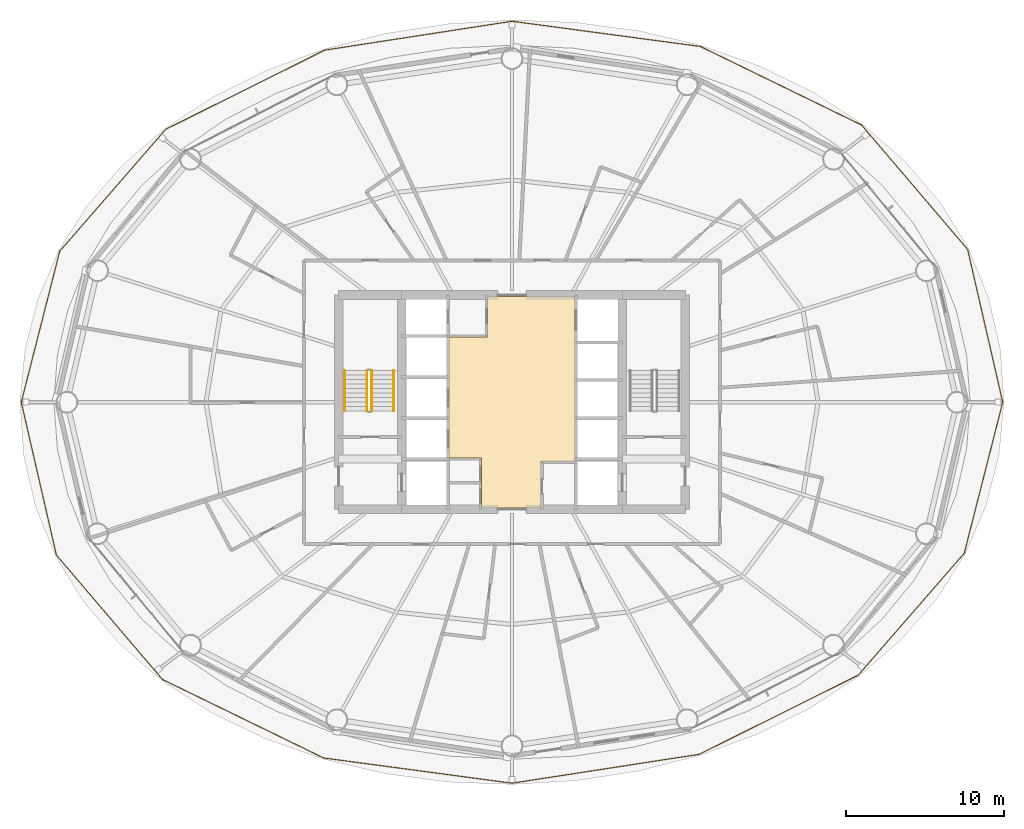
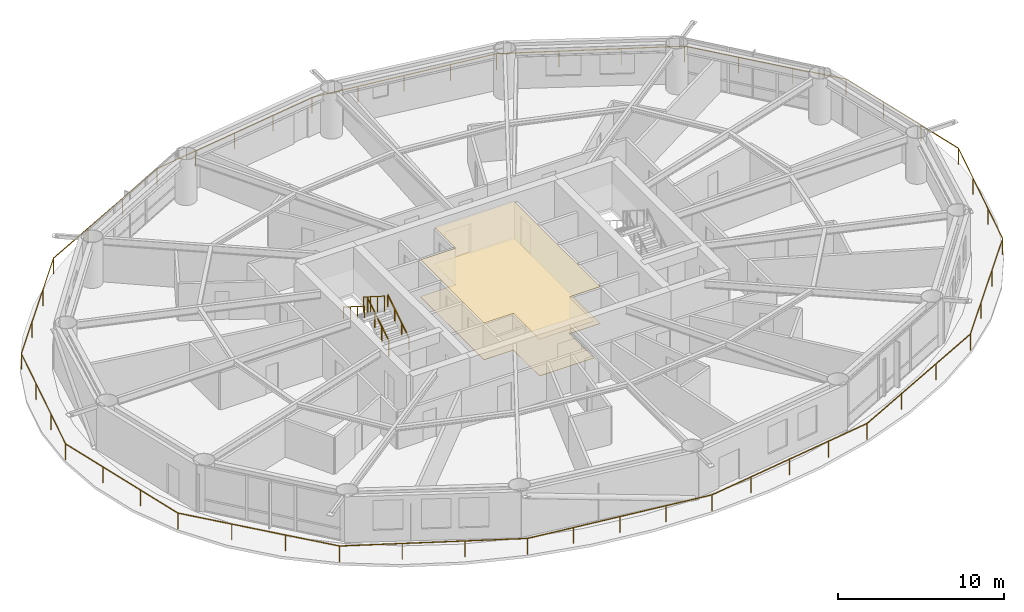
# One storey, part 23 of 24: 5 railings, 2 coverings.
"""IFC4 building model written with IfcOpenShell, lengths in metres."""

import ifcopenshell
import ifcopenshell.guid

model = None  # the IFC model being written
_history = None  # IfcOwnerHistory: only IFC2X3 demands one
_inside = {}  # id of a spatial element -> (the spatial element, [elements in it])
_under = {}  # id of a project, library or spatial element -> (it, [spatial elements below it])
_declared = {}  # id of a project -> (the project, [libraries it declares])
_typed = {}  # id of a type object -> (the type object, [elements of that type])
_made_of = {}  # id of a material, layer set ... -> (it, [elements and type objects made of it])


def new_model(schema):
    """Start an empty IFC model of exactly this schema.

    Asked for "IFC4X3", IfcOpenShell would pick the latest addendum, in which some entities
    have other attributes; the version numbers below select the first issue.
    IFC2X3 requires an IfcOwnerHistory on every rooted entity: one is made here for all.
    """
    global model, _history
    if schema == "IFC4X3":
        model = ifcopenshell.file(schema_version=(4, 3, 0, 0))
    else:
        model = ifcopenshell.file(schema=schema)
    _inside.clear()
    _under.clear()
    _declared.clear()
    _typed.clear()
    _made_of.clear()
    _history = None
    if model.schema == "IFC2X3":
        org = make("IfcOrganization", Name="unknown")
        user = make(
            "IfcPersonAndOrganization",
            ThePerson=make("IfcPerson", FamilyName="unknown"),
            TheOrganization=org,
        )
        app = make(
            "IfcApplication",
            ApplicationDeveloper=org,
            Version="unknown",
            ApplicationFullName="unknown",
            ApplicationIdentifier="unknown",
        )
        _history = make(
            "IfcOwnerHistory",
            OwningUser=user,
            OwningApplication=app,
            ChangeAction="ADDED",
            CreationDate=0,
        )
    return model


def make(cls, **values):
    """One entity of the class cls with the attributes given. An attribute that is None is left unset."""
    return model.create_entity(
        cls, **{name: value for name, value in values.items() if value is not None}
    )


def rooted(cls, **values):
    """An entity with a GlobalId (a new one), such as an element, a storey or a relation."""
    return make(cls, GlobalId=ifcopenshell.guid.new(), OwnerHistory=_history, **values)


def si_unit(unit_type, name, prefix=None):
    """IfcSIUnit, for example si_unit("LENGTHUNIT", "METRE", prefix="MILLI")."""
    return make("IfcSIUnit", UnitType=unit_type, Prefix=prefix, Name=name)


def assignment(units):
    """IfcUnitAssignment: the units of a project."""
    return None if units is None else make("IfcUnitAssignment", Units=units)


def point(xyz):
    """IfcCartesianPoint."""
    return None if xyz is None else make("IfcCartesianPoint", Coordinates=xyz)


def direction(xyz):
    """IfcDirection."""
    return None if xyz is None else make("IfcDirection", DirectionRatios=xyz)


def frame(location, z_axis=None, x_axis=None):
    """IfcAxis2Placement3D, a coordinate frame: its origin and axes. An axis left out is left unset."""
    return make(
        "IfcAxis2Placement3D",
        Location=point(location),
        Axis=direction(z_axis),
        RefDirection=direction(x_axis),
    )


def frame_2d(location, x_axis=None):
    """IfcAxis2Placement2D, a coordinate frame in the plane: its origin and x axis."""
    return make(
        "IfcAxis2Placement2D", Location=point(location), RefDirection=direction(x_axis)
    )


def origin():
    """The frame at (0, 0, 0) with its axes left unset."""
    return frame((0.0, 0.0, 0.0))


def origin_2d():
    """The frame at (0, 0) in the plane with its x axis left unset."""
    return frame_2d((0.0, 0.0))


def place(relative_to, where):
    """IfcLocalPlacement: puts the frame where relative to a parent placement (None: the world)."""
    return make(
        "IfcLocalPlacement", PlacementRelTo=relative_to, RelativePlacement=where
    )


def context(
    kind, dimensions, precision=None, world=None, true_north=None, identifier=None
):
    """IfcGeometricRepresentationContext, for example the 3D "Model" context."""
    return make(
        "IfcGeometricRepresentationContext",
        ContextIdentifier=identifier,
        ContextType=kind,
        CoordinateSpaceDimension=dimensions,
        Precision=precision,
        WorldCoordinateSystem=world,
        TrueNorth=true_north,
    )


def subcontext(parent, identifier, kind, view, scale=None):
    """IfcGeometricRepresentationSubContext, for example "Body" below "Model"."""
    return make(
        "IfcGeometricRepresentationSubContext",
        ContextIdentifier=identifier,
        ContextType=kind,
        ParentContext=parent,
        TargetScale=scale,
        TargetView=view,
    )


def project(units=None, contexts=None):
    """IfcProject with its units and contexts."""
    return rooted(
        "IfcProject",
        Name="project",
        RepresentationContexts=contexts,
        UnitsInContext=assignment(units),
    )


def spatial(cls, under=None, at=None, **own):
    """A site, building, storey or space (cls), placed at a placement, below another one or the project."""
    s = rooted(cls, ObjectPlacement=at, **own)
    if under is not None:
        _under.setdefault(under.id(), (under, []))[1].append(s)
    return s


def polyline(points):
    """IfcPolyline through the points."""
    return make("IfcPolyline", Points=[point(p) for p in points])


def profile(cls, at=None, kind="AREA", **sizes):
    """A parametric profile (cls). Its sizes go by their IFC names, for example OverallWidth=200.0."""
    return make(cls, ProfileType=kind, Position=at, **sizes)


def rectangle(**sizes):
    """IfcRectangleProfileDef."""
    return profile("IfcRectangleProfileDef", **sizes)


def outline(outer, holes=None, kind="AREA"):
    """IfcArbitraryClosedProfileDef: a profile drawn as a closed curve; with holes, ...WithVoids."""
    if holes is None:
        return make("IfcArbitraryClosedProfileDef", ProfileType=kind, OuterCurve=outer)
    return make(
        "IfcArbitraryProfileDefWithVoids",
        ProfileType=kind,
        OuterCurve=outer,
        InnerCurves=holes,
    )


def extrude(swept, where, along, depth):
    """IfcExtrudedAreaSolid: the profile swept, set in the frame where, extruded along a direction by depth."""
    return make(
        "IfcExtrudedAreaSolid",
        SweptArea=swept,
        Position=where,
        ExtrudedDirection=direction(along),
        Depth=depth,
    )


def shape(context_of_items, identifier, shape_type, items):
    """IfcShapeRepresentation: the items that make up one representation, for example the "Body"."""
    return make(
        "IfcShapeRepresentation",
        ContextOfItems=context_of_items,
        RepresentationIdentifier=identifier,
        RepresentationType=shape_type,
        Items=items,
    )


def material(Name=None, Category=None):
    """IfcMaterial."""
    return make("IfcMaterial", Name=Name, Category=Category)


def layer(
    of_material, thickness, ventilated=None, Name=None, Category=None, Priority=None
):
    """IfcMaterialLayer: one layer of a wall or slab, of a material (None: an air gap)."""
    return make(
        "IfcMaterialLayer",
        Material=of_material,
        LayerThickness=thickness,
        IsVentilated=ventilated,
        Name=Name,
        Category=Category,
        Priority=Priority,
    )


def layer_set(layers, Name=None):
    """IfcMaterialLayerSet."""
    return make("IfcMaterialLayerSet", MaterialLayers=layers, LayerSetName=Name)


def made_of(thing, what):
    """Note that an element or type object is made of a material, layer set ...; save() writes the relation."""
    if what is not None:
        _made_of.setdefault(what.id(), (what, []))[1].append(thing)
    return thing


def type_object(cls, material=None, **own):
    """A type object (cls), such as IfcWallType, which elements share."""
    return made_of(rooted(cls, **own), material)


def element(
    cls,
    number,
    at=None,
    inside=None,
    cuts=None,
    type_object=None,
    material=None,
    context=None,
    identifier="Body",
    shape_type=None,
    held_by="IfcProductDefinitionShape",
    body=None,
    shapes=None,
    **own,
):
    """One element of the class cls, such as IfcWall. Its Tag is "e" and its number.

    at: its placement. inside: the storey or other place that contains it. cuts: it is an
    opening in that element (IfcRelVoidsElement). A single representation is given by context,
    identifier, shape_type and body (its items); several are given by shapes. held_by: the class
    of the entity that holds the representations. save() writes the other relations.
    """
    e = rooted(cls, Tag="e%d" % number, ObjectPlacement=at, **own)
    if body is not None:
        shapes = [shape(context, identifier, shape_type, body)]
    if shapes is not None:
        e.Representation = make(held_by, Representations=shapes)
    if inside is not None:
        _inside.setdefault(inside.id(), (inside, []))[1].append(e)
    if cuts is not None:
        rooted(
            "IfcRelVoidsElement", RelatingBuildingElement=cuts, RelatedOpeningElement=e
        )
    if type_object is not None:
        _typed.setdefault(type_object.id(), (type_object, []))[1].append(e)
    return made_of(e, material)


def aggregate(whole, parts):
    """IfcRelAggregates: a whole, such as a stair, and the parts it consists of."""
    return rooted("IfcRelAggregates", RelatingObject=whole, RelatedObjects=parts)


def save(model, path):
    """Write the relations noted so far, then the file.

    IfcRelAggregates (storeys below a building ...), IfcRelContainedInSpatialStructure (elements
    in a storey), IfcRelDefinesByType, IfcRelAssociatesMaterial and IfcRelDeclares: one each for
    every whole, place, type object, material and project.
    """
    for whole, parts in _under.values():
        aggregate(whole, parts)
    for where, things in _inside.values():
        rooted(
            "IfcRelContainedInSpatialStructure",
            RelatedElements=things,
            RelatingStructure=where,
        )
    for kind, things in _typed.values():
        rooted("IfcRelDefinesByType", RelatedObjects=things, RelatingType=kind)
    for what, things in _made_of.values():
        rooted("IfcRelAssociatesMaterial", RelatedObjects=things, RelatingMaterial=what)
    for by, libraries in _declared.values():
        rooted("IfcRelDeclares", RelatingContext=by, RelatedDefinitions=libraries)
    model.write(path)


model = new_model("IFC4")

# Units and contexts
model_context = context("Model", 3, precision=1e-05, world=origin(), true_north=direction((0.0, 1.0)))
body_context = subcontext(model_context, "Body", "Model", "MODEL_VIEW")
ifc_project = project(units=[si_unit("LENGTHUNIT", "METRE"), si_unit("AREAUNIT", "SQUARE_METRE"), si_unit("VOLUMEUNIT", "CUBIC_METRE"), si_unit("PLANEANGLEUNIT", "RADIAN"), si_unit("MASSUNIT", "GRAM", prefix="KILO")], contexts=[model_context])

# Site, building, storey
site_placement = place(None, origin())
site = spatial("IfcSite", under=ifc_project, at=site_placement, CompositionType="ELEMENT")
building_placement = place(site_placement, origin())
building = spatial("IfcBuilding", under=site, at=building_placement, Name="Sarneth Arch Tower", CompositionType="ELEMENT")
storey_placement = place(building_placement, frame((0.0, 0.0, 87.60009765625)))
storey = spatial("IfcBuildingStorey", under=building, at=storey_placement, Name="L21", CompositionType="ELEMENT", Elevation=87.60009765625)

# Coverings
ifc_material_1 = material(Name="Perforated acoustic gypsum ceiling board")
ifc_layer_1 = layer(ifc_material_1, 0.02490234375)
ifc_layer_set_1 = layer_set([ifc_layer_1], Name="Perforated acoustic gypsum ceiling board")
covering_type_1 = type_object("IfcCoveringType", Name="COV-CEIL-GYP", PredefinedType="CEILING", material=ifc_layer_set_1)
covering_1_placement = place(storey_placement, frame((0.0, 0.0, 2.7099609375)))
element("IfcCovering", 1, at=covering_1_placement, inside=storey, type_object=covering_type_1, Name="L21 Lift lobby acoustic ceiling", PredefinedType="CEILING", context=body_context, shape_type="SweptSolid", body=[
    extrude(outline(polyline([(49.85009765625, 38.25), (49.85009765625, 35.300048828125), (46.050048828125, 35.300048828125), (46.050048828125, 38.449951171875), (44.0, 38.449951171875), (44.0, 46.14990234375), (46.449951171875, 46.14990234375), (46.449951171875, 48.699951171875), (52.0, 48.699951171875), (52.0, 38.25), (49.85009765625, 38.25)])), origin(), (0.0, 0.0, 1.0), 0.030029296875),
])
ifc_material_2 = material(Name="Honed granite stone flooring", Category="masonry")
ifc_layer_2 = layer(ifc_material_2, 0.030029296875)
ifc_layer_set_2 = layer_set([ifc_layer_2], Name="Honed granite stone flooring")
covering_type_2 = type_object("IfcCoveringType", Name="COV-FLR-STONE", PredefinedType="FLOORING", material=ifc_layer_set_2)
covering_2_placement = place(storey_placement, origin())
element("IfcCovering", 2, at=covering_2_placement, inside=storey, type_object=covering_type_2, Name="L21 Lift lobby granite flooring", PredefinedType="FLOORING", context=body_context, shape_type="SweptSolid", body=[
    extrude(outline(polyline([(49.85009765625, 38.25), (49.85009765625, 35.300048828125), (46.050048828125, 35.300048828125), (46.050048828125, 38.449951171875), (44.0, 38.449951171875), (44.0, 46.14990234375), (46.449951171875, 46.14990234375), (46.449951171875, 48.699951171875), (52.0, 48.699951171875), (52.0, 38.25), (49.85009765625, 38.25)])), origin(), (0.0, 0.0, 1.0), 0.02978515625),
])

# Railings
ifc_material_3 = material(Name="Laminated structural glass infill with Stainless Steel 316 top rail and posts", Category="steel")
railing_type_1 = type_object("IfcRailingType", Name="RAIL-BALC-1200", PredefinedType="BALUSTRADE", material=ifc_material_3)
railing_1_placement = place(storey_placement, frame((79.13330078125, 42.0, 0.0)))
element("IfcRailing", 3, at=railing_1_placement, inside=storey, type_object=railing_type_1, Name="L21 Helical balcony glass balustrade", PredefinedType="BALUSTRADE", context=body_context, shape_type="SweptSolid", body=[
    extrude(rectangle(XDim=0.048095703125, YDim=0.048095703125, at=origin_2d()), frame((0.0, 0.0, 1.17578125), z_axis=(-0.224022547626, 0.974583961573, 0.0), x_axis=(-0.974583961573, -0.224022547626, 0.0)), (0.0, 0.0, 1.0), 9.949951171875),
    extrude(rectangle(XDim=0.048095703125, YDim=0.048095703125, at=origin_2d()), frame((-2.22900390625, 9.697021484375, 1.17578125), z_axis=(-0.648758987719, 0.760993939433, 0.0), x_axis=(-0.760993939433, -0.648758987719, 0.0)), (0.0, 0.0, 1.0), 10.369384765625),
    extrude(rectangle(XDim=0.048095703125, YDim=0.048095703125, at=origin_2d()), frame((-8.956298828125, 17.588134765625, 1.17578125), z_axis=(-0.899036234717, 0.437874238414, 0.0), x_axis=(-0.437874238414, -0.899036234717, 0.0)), (0.0, 0.0, 1.0), 11.374755859375),
    extrude(rectangle(XDim=0.048095703125, YDim=0.048095703125, at=origin_2d()), frame((-19.1826171875, 22.56884765625, 1.17578125), z_axis=(-0.991149919179, 0.132747270074, 0.0), x_axis=(-0.132747270074, -0.991149919179, 0.0)), (0.0, 0.0, 1.0), 12.057373046875),
    extrude(rectangle(XDim=0.048095703125, YDim=0.048095703125, at=origin_2d()), frame((-31.13330078125, 24.16943359375, 1.17578125), z_axis=(-0.988300666967, -0.152518168333, 0.0), x_axis=(0.152518168333, -0.988300666967, 0.0)), (0.0, 0.0, 1.0), 12.018310546875),
    extrude(rectangle(XDim=0.048095703125, YDim=0.048095703125, at=origin_2d()), frame((-43.010986328125, 22.33642578125, 1.17578125), z_axis=(-0.89522271784, -0.445618991364, 0.0), x_axis=(0.445618991364, -0.89522271784, 0.0)), (0.0, 0.0, 1.0), 11.2734375),
    extrude(rectangle(XDim=0.048095703125, YDim=0.048095703125, at=origin_2d()), frame((-53.103271484375, 17.312744140625, 1.17578125), z_axis=(-0.655963976651, -0.754792197454, 0.0), x_axis=(0.754792197454, -0.655963976651, 0.0)), (0.0, 0.0, 1.0), 10.2470703125),
    extrude(rectangle(XDim=0.048095703125, YDim=0.048095703125, at=origin_2d()), frame((-59.824951171875, 9.578369140625, 1.17578125), z_axis=(-0.247013709463, -0.969011985136, 0.0), x_axis=(0.969011985136, -0.247013709463, 0.0)), (0.0, 0.0, 1.0), 9.884765625),
    extrude(rectangle(XDim=0.048095703125, YDim=0.048095703125, at=origin_2d()), frame((-62.2666015625, 0.0, 1.17578125), z_axis=(0.224022547626, -0.974583961573, 0.0), x_axis=(0.974583961573, 0.224022547626, 0.0)), (0.0, 0.0, 1.0), 9.949951171875),
    extrude(rectangle(XDim=0.048095703125, YDim=0.048095703125, at=origin_2d()), frame((-60.03759765625, -9.697021484375, 1.17578125), z_axis=(0.648758987719, -0.760993939433, 0.0), x_axis=(0.760993939433, 0.648758987719, 0.0)), (0.0, 0.0, 1.0), 10.369384765625),
    extrude(rectangle(XDim=0.048095703125, YDim=0.048095703125, at=origin_2d()), frame((-53.310302734375, -17.588134765625, 1.17578125), z_axis=(0.899036234717, -0.437874238414, 0.0), x_axis=(0.437874238414, 0.899036234717, 0.0)), (0.0, 0.0, 1.0), 11.374755859375),
    extrude(rectangle(XDim=0.048095703125, YDim=0.048095703125, at=origin_2d()), frame((-43.083984375, -22.56884765625, 1.17578125), z_axis=(0.991149919179, -0.132747270074, 0.0), x_axis=(0.132747270074, 0.991149919179, 0.0)), (0.0, 0.0, 1.0), 12.057373046875),
    extrude(rectangle(XDim=0.048095703125, YDim=0.048095703125, at=origin_2d()), frame((-31.13330078125, -24.16943359375, 1.17578125), z_axis=(0.988300666967, 0.152518168333, 0.0), x_axis=(-0.152518168333, 0.988300666967, 0.0)), (0.0, 0.0, 1.0), 12.018310546875),
    extrude(rectangle(XDim=0.048095703125, YDim=0.048095703125, at=origin_2d()), frame((-19.255615234375, -22.33642578125, 1.17578125), z_axis=(0.89522271784, 0.445618991364, 0.0), x_axis=(-0.445618991364, 0.89522271784, 0.0)), (0.0, 0.0, 1.0), 11.2734375),
    extrude(rectangle(XDim=0.048095703125, YDim=0.048095703125, at=origin_2d()), frame((-9.163330078125, -17.312744140625, 1.17578125), z_axis=(0.655963976651, 0.754792197454, 0.0), x_axis=(-0.754792197454, 0.655963976651, 0.0)), (0.0, 0.0, 1.0), 10.2470703125),
    extrude(rectangle(XDim=0.048095703125, YDim=0.048095703125, at=origin_2d()), frame((-2.441650390625, -9.578369140625, 1.17578125), z_axis=(0.247013709463, 0.969011985136, 0.0), x_axis=(-0.969011985136, 0.247013709463, 0.0)), (0.0, 0.0, 1.0), 9.884765625),
    extrude(rectangle(XDim=0.0419921875, YDim=0.0419921875, at=origin_2d()), origin(), (0.0, 0.0, 1.0), 1.15185546875),
    extrude(rectangle(XDim=0.0419921875, YDim=0.0419921875, at=origin_2d()), frame((-0.742919921875, 3.232421875, 0.0)), (0.0, 0.0, 1.0), 1.15185546875),
    extrude(rectangle(XDim=0.0419921875, YDim=0.0419921875, at=origin_2d()), frame((-1.486083984375, 6.464599609375, 0.0)), (0.0, 0.0, 1.0), 1.15185546875),
    extrude(rectangle(XDim=0.0419921875, YDim=0.0419921875, at=origin_2d()), frame((-2.22900390625, 9.697021484375, 0.0)), (0.0, 0.0, 1.0), 1.15185546875),
    extrude(rectangle(XDim=0.0419921875, YDim=0.0419921875, at=origin_2d()), frame((-4.471435546875, 12.327392578125, 0.0)), (0.0, 0.0, 1.0), 1.15185546875),
    extrude(rectangle(XDim=0.0419921875, YDim=0.0419921875, at=origin_2d()), frame((-6.7138671875, 14.957763671875, 0.0)), (0.0, 0.0, 1.0), 1.15185546875),
    extrude(rectangle(XDim=0.0419921875, YDim=0.0419921875, at=origin_2d()), frame((-8.956298828125, 17.588134765625, 0.0)), (0.0, 0.0, 1.0), 1.15185546875),
    extrude(rectangle(XDim=0.0419921875, YDim=0.0419921875, at=origin_2d()), frame((-12.364990234375, 19.248291015625, 0.0)), (0.0, 0.0, 1.0), 1.15185546875),
    extrude(rectangle(XDim=0.0419921875, YDim=0.0419921875, at=origin_2d()), frame((-15.77392578125, 20.90869140625, 0.0)), (0.0, 0.0, 1.0), 1.15185546875),
    extrude(rectangle(XDim=0.0419921875, YDim=0.0419921875, at=origin_2d()), frame((-19.1826171875, 22.56884765625, 0.0)), (0.0, 0.0, 1.0), 1.15185546875),
    extrude(rectangle(XDim=0.0419921875, YDim=0.0419921875, at=origin_2d()), frame((-22.17041015625, 22.968994140625, 0.0)), (0.0, 0.0, 1.0), 1.15185546875),
    extrude(rectangle(XDim=0.0419921875, YDim=0.0419921875, at=origin_2d()), frame((-25.157958984375, 23.369140625, 0.0)), (0.0, 0.0, 1.0), 1.15185546875),
    extrude(rectangle(XDim=0.0419921875, YDim=0.0419921875, at=origin_2d()), frame((-28.1455078125, 23.769287109375, 0.0)), (0.0, 0.0, 1.0), 1.15185546875),
    extrude(rectangle(XDim=0.0419921875, YDim=0.0419921875, at=origin_2d()), frame((-31.13330078125, 24.16943359375, 0.0)), (0.0, 0.0, 1.0), 1.15185546875),
    extrude(rectangle(XDim=0.0419921875, YDim=0.0419921875, at=origin_2d()), frame((-34.102783203125, 23.711181640625, 0.0)), (0.0, 0.0, 1.0), 1.15185546875),
    extrude(rectangle(XDim=0.0419921875, YDim=0.0419921875, at=origin_2d()), frame((-37.072265625, 23.2529296875, 0.0)), (0.0, 0.0, 1.0), 1.15185546875),
    extrude(rectangle(XDim=0.0419921875, YDim=0.0419921875, at=origin_2d()), frame((-40.04150390625, 22.794677734375, 0.0)), (0.0, 0.0, 1.0), 1.15185546875),
    extrude(rectangle(XDim=0.0419921875, YDim=0.0419921875, at=origin_2d()), frame((-43.010986328125, 22.33642578125, 0.0)), (0.0, 0.0, 1.0), 1.15185546875),
    extrude(rectangle(XDim=0.0419921875, YDim=0.0419921875, at=origin_2d()), frame((-46.375, 20.661865234375, 0.0)), (0.0, 0.0, 1.0), 1.15185546875),
    extrude(rectangle(XDim=0.0419921875, YDim=0.0419921875, at=origin_2d()), frame((-49.7392578125, 18.9873046875, 0.0)), (0.0, 0.0, 1.0), 1.15185546875),
    extrude(rectangle(XDim=0.0419921875, YDim=0.0419921875, at=origin_2d()), frame((-53.103271484375, 17.312744140625, 0.0)), (0.0, 0.0, 1.0), 1.15185546875),
    extrude(rectangle(XDim=0.0419921875, YDim=0.0419921875, at=origin_2d()), frame((-55.34375, 14.734619140625, 0.0)), (0.0, 0.0, 1.0), 1.15185546875),
    extrude(rectangle(XDim=0.0419921875, YDim=0.0419921875, at=origin_2d()), frame((-57.58447265625, 12.156494140625, 0.0)), (0.0, 0.0, 1.0), 1.15185546875),
    extrude(rectangle(XDim=0.0419921875, YDim=0.0419921875, at=origin_2d()), frame((-59.824951171875, 9.578369140625, 0.0)), (0.0, 0.0, 1.0), 1.15185546875),
    extrude(rectangle(XDim=0.0419921875, YDim=0.0419921875, at=origin_2d()), frame((-60.638916015625, 6.385498046875, 0.0)), (0.0, 0.0, 1.0), 1.15185546875),
    extrude(rectangle(XDim=0.0419921875, YDim=0.0419921875, at=origin_2d()), frame((-61.45263671875, 3.19287109375, 0.0)), (0.0, 0.0, 1.0), 1.15185546875),
    extrude(rectangle(XDim=0.0419921875, YDim=0.0419921875, at=origin_2d()), frame((-62.2666015625, 0.0, 0.0)), (0.0, 0.0, 1.0), 1.15185546875),
    extrude(rectangle(XDim=0.0419921875, YDim=0.0419921875, at=origin_2d()), frame((-61.523681640625, -3.232421875, 0.0)), (0.0, 0.0, 1.0), 1.15185546875),
    extrude(rectangle(XDim=0.0419921875, YDim=0.0419921875, at=origin_2d()), frame((-60.780517578125, -6.464599609375, 0.0)), (0.0, 0.0, 1.0), 1.15185546875),
    extrude(rectangle(XDim=0.0419921875, YDim=0.0419921875, at=origin_2d()), frame((-60.03759765625, -9.697021484375, 0.0)), (0.0, 0.0, 1.0), 1.15185546875),
    extrude(rectangle(XDim=0.0419921875, YDim=0.0419921875, at=origin_2d()), frame((-57.795166015625, -12.327392578125, 0.0)), (0.0, 0.0, 1.0), 1.15185546875),
    extrude(rectangle(XDim=0.0419921875, YDim=0.0419921875, at=origin_2d()), frame((-55.552734375, -14.957763671875, 0.0)), (0.0, 0.0, 1.0), 1.15185546875),
    extrude(rectangle(XDim=0.0419921875, YDim=0.0419921875, at=origin_2d()), frame((-53.310302734375, -17.588134765625, 0.0)), (0.0, 0.0, 1.0), 1.15185546875),
    extrude(rectangle(XDim=0.0419921875, YDim=0.0419921875, at=origin_2d()), frame((-49.901611328125, -19.248291015625, 0.0)), (0.0, 0.0, 1.0), 1.15185546875),
    extrude(rectangle(XDim=0.0419921875, YDim=0.0419921875, at=origin_2d()), frame((-46.49267578125, -20.90869140625, 0.0)), (0.0, 0.0, 1.0), 1.15185546875),
    extrude(rectangle(XDim=0.0419921875, YDim=0.0419921875, at=origin_2d()), frame((-43.083984375, -22.56884765625, 0.0)), (0.0, 0.0, 1.0), 1.15185546875),
    extrude(rectangle(XDim=0.0419921875, YDim=0.0419921875, at=origin_2d()), frame((-40.09619140625, -22.968994140625, 0.0)), (0.0, 0.0, 1.0), 1.15185546875),
    extrude(rectangle(XDim=0.0419921875, YDim=0.0419921875, at=origin_2d()), frame((-37.108642578125, -23.369140625, 0.0)), (0.0, 0.0, 1.0), 1.15185546875),
    extrude(rectangle(XDim=0.0419921875, YDim=0.0419921875, at=origin_2d()), frame((-34.12109375, -23.769287109375, 0.0)), (0.0, 0.0, 1.0), 1.15185546875),
    extrude(rectangle(XDim=0.0419921875, YDim=0.0419921875, at=origin_2d()), frame((-31.13330078125, -24.16943359375, 0.0)), (0.0, 0.0, 1.0), 1.15185546875),
    extrude(rectangle(XDim=0.0419921875, YDim=0.0419921875, at=origin_2d()), frame((-28.163818359375, -23.711181640625, 0.0)), (0.0, 0.0, 1.0), 1.15185546875),
    extrude(rectangle(XDim=0.0419921875, YDim=0.0419921875, at=origin_2d()), frame((-25.1943359375, -23.2529296875, 0.0)), (0.0, 0.0, 1.0), 1.15185546875),
    extrude(rectangle(XDim=0.0419921875, YDim=0.0419921875, at=origin_2d()), frame((-22.22509765625, -22.794677734375, 0.0)), (0.0, 0.0, 1.0), 1.15185546875),
    extrude(rectangle(XDim=0.0419921875, YDim=0.0419921875, at=origin_2d()), frame((-19.255615234375, -22.33642578125, 0.0)), (0.0, 0.0, 1.0), 1.15185546875),
    extrude(rectangle(XDim=0.0419921875, YDim=0.0419921875, at=origin_2d()), frame((-15.8916015625, -20.661865234375, 0.0)), (0.0, 0.0, 1.0), 1.15185546875),
    extrude(rectangle(XDim=0.0419921875, YDim=0.0419921875, at=origin_2d()), frame((-12.52734375, -18.9873046875, 0.0)), (0.0, 0.0, 1.0), 1.15185546875),
    extrude(rectangle(XDim=0.0419921875, YDim=0.0419921875, at=origin_2d()), frame((-9.163330078125, -17.312744140625, 0.0)), (0.0, 0.0, 1.0), 1.15185546875),
    extrude(rectangle(XDim=0.0419921875, YDim=0.0419921875, at=origin_2d()), frame((-6.9228515625, -14.734619140625, 0.0)), (0.0, 0.0, 1.0), 1.15185546875),
    extrude(rectangle(XDim=0.0419921875, YDim=0.0419921875, at=origin_2d()), frame((-4.68212890625, -12.156494140625, 0.0)), (0.0, 0.0, 1.0), 1.15185546875),
    extrude(rectangle(XDim=0.0419921875, YDim=0.0419921875, at=origin_2d()), frame((-2.441650390625, -9.578369140625, 0.0)), (0.0, 0.0, 1.0), 1.15185546875),
    extrude(rectangle(XDim=0.0419921875, YDim=0.0419921875, at=origin_2d()), frame((-1.627685546875, -6.385498046875, 0.0)), (0.0, 0.0, 1.0), 1.15185546875),
    extrude(rectangle(XDim=0.0419921875, YDim=0.0419921875, at=origin_2d()), frame((-0.81396484375, -3.19287109375, 0.0)), (0.0, 0.0, 1.0), 1.15185546875),
])
ifc_material_4 = material(Name="Brushed Stainless Steel 304 tubular handrail", Category="steel")
railing_type_2 = type_object("IfcRailingType", Name="RAIL-HANDRAIL-900", PredefinedType="HANDRAIL", material=ifc_material_4)
railing_2_placement = place(storey_placement, frame((40.5, 41.449951171875, 0.179931640625)))
element("IfcRailing", 4, at=railing_2_placement, inside=storey, type_object=railing_type_2, Name="L21 ST-1 stair handrail 1", PredefinedType="HANDRAIL", context=body_context, shape_type="SweptSolid", body=[
    extrude(rectangle(XDim=0.048095703125, YDim=0.048095703125, at=origin_2d()), frame((0.0, 0.0, 0.8759765625), z_axis=(0.0, 0.845502289212, 0.533971796014), x_axis=(-1.0, 0.0, 0.0)), (0.0, 0.0, 1.0), 3.03369140625),
    extrude(rectangle(XDim=0.0419921875, YDim=0.0419921875, at=origin_2d()), origin(), (0.0, 0.0, 1.0), 0.851806640625),
    extrude(rectangle(XDim=0.0419921875, YDim=0.0419921875, at=origin_2d()), frame((0.0, 0.85498046875, 0.5400390625)), (0.0, 0.0, 1.0), 0.851806640625),
    extrude(rectangle(XDim=0.0419921875, YDim=0.0419921875, at=origin_2d()), frame((0.0, 1.7099609375, 1.079833984375)), (0.0, 0.0, 1.0), 0.851806640625),
    extrude(rectangle(XDim=0.0419921875, YDim=0.0419921875, at=origin_2d()), frame((0.0, 2.56494140625, 1.619873046875)), (0.0, 0.0, 1.0), 0.851806640625),
])
railing_3_placement = place(storey_placement, frame((37.39990234375, 44.014892578125, 1.97998046875)))
element("IfcRailing", 5, at=railing_3_placement, inside=storey, type_object=railing_type_2, Name="L21 ST-1 stair handrail 2", PredefinedType="HANDRAIL", context=body_context, shape_type="SweptSolid", body=[
    extrude(rectangle(XDim=0.048095703125, YDim=0.048095703125, at=origin_2d()), frame((0.0, 0.0, 0.8759765625), z_axis=(0.0, -0.845502289212, 0.533971796014), x_axis=(1.0, 0.0, 0.0)), (0.0, 0.0, 1.0), 3.03369140625),
    extrude(rectangle(XDim=0.0419921875, YDim=0.0419921875, at=origin_2d()), origin(), (0.0, 0.0, 1.0), 0.851806640625),
    extrude(rectangle(XDim=0.0419921875, YDim=0.0419921875, at=origin_2d()), frame((0.0, -0.85498046875, 0.5400390625)), (0.0, 0.0, 1.0), 0.851806640625),
    extrude(rectangle(XDim=0.0419921875, YDim=0.0419921875, at=origin_2d()), frame((0.0, -1.7099609375, 1.079833984375)), (0.0, 0.0, 1.0), 0.851806640625),
    extrude(rectangle(XDim=0.0419921875, YDim=0.0419921875, at=origin_2d()), frame((0.0, -2.56494140625, 1.619873046875)), (0.0, 0.0, 1.0), 0.851806640625),
])
ifc_material_5 = material(Name="Painted Steel S275 stair well guard", Category="steel")
railing_type_3 = type_object("IfcRailingType", Name="RAIL-STAIR-GUARD", PredefinedType="GUARDRAIL", material=ifc_material_5)
railing_4_placement = place(storey_placement, frame((39.10009765625, 41.449951171875, 0.179931640625)))
element("IfcRailing", 6, at=railing_4_placement, inside=storey, type_object=railing_type_3, Name="L21 ST-1 stair guard 1", PredefinedType="GUARDRAIL", context=body_context, shape_type="SweptSolid", body=[
    extrude(rectangle(XDim=0.048095703125, YDim=0.048095703125, at=origin_2d()), frame((0.0, 0.0, 1.1259765625), z_axis=(0.0, 0.845502289212, 0.533971796014), x_axis=(-1.0, 0.0, 0.0)), (0.0, 0.0, 1.0), 3.03369140625),
    extrude(rectangle(XDim=0.0419921875, YDim=0.0419921875, at=origin_2d()), origin(), (0.0, 0.0, 1.0), 1.101806640625),
    extrude(rectangle(XDim=0.0419921875, YDim=0.0419921875, at=origin_2d()), frame((0.0, 0.85498046875, 0.5400390625)), (0.0, 0.0, 1.0), 1.101806640625),
    extrude(rectangle(XDim=0.0419921875, YDim=0.0419921875, at=origin_2d()), frame((0.0, 1.7099609375, 1.079833984375)), (0.0, 0.0, 1.0), 1.101806640625),
    extrude(rectangle(XDim=0.0419921875, YDim=0.0419921875, at=origin_2d()), frame((0.0, 2.56494140625, 1.619873046875)), (0.0, 0.0, 1.0), 1.101806640625),
])
railing_5_placement = place(storey_placement, frame((38.800048828125, 44.014892578125, 1.97998046875)))
element("IfcRailing", 7, at=railing_5_placement, inside=storey, type_object=railing_type_3, Name="L21 ST-1 stair guard 3", PredefinedType="GUARDRAIL", context=body_context, shape_type="SweptSolid", body=[
    extrude(rectangle(XDim=0.048095703125, YDim=0.048095703125, at=origin_2d()), frame((0.0, 0.0, 1.1259765625), z_axis=(0.0, -0.845502289212, 0.533971796014), x_axis=(1.0, 0.0, 0.0)), (0.0, 0.0, 1.0), 3.03369140625),
    extrude(rectangle(XDim=0.0419921875, YDim=0.0419921875, at=origin_2d()), origin(), (0.0, 0.0, 1.0), 1.101806640625),
    extrude(rectangle(XDim=0.0419921875, YDim=0.0419921875, at=origin_2d()), frame((0.0, -0.85498046875, 0.5400390625)), (0.0, 0.0, 1.0), 1.101806640625),
    extrude(rectangle(XDim=0.0419921875, YDim=0.0419921875, at=origin_2d()), frame((0.0, -1.7099609375, 1.079833984375)), (0.0, 0.0, 1.0), 1.101806640625),
    extrude(rectangle(XDim=0.0419921875, YDim=0.0419921875, at=origin_2d()), frame((0.0, -2.56494140625, 1.619873046875)), (0.0, 0.0, 1.0), 1.101806640625),
])

save(model, "model.ifc")
